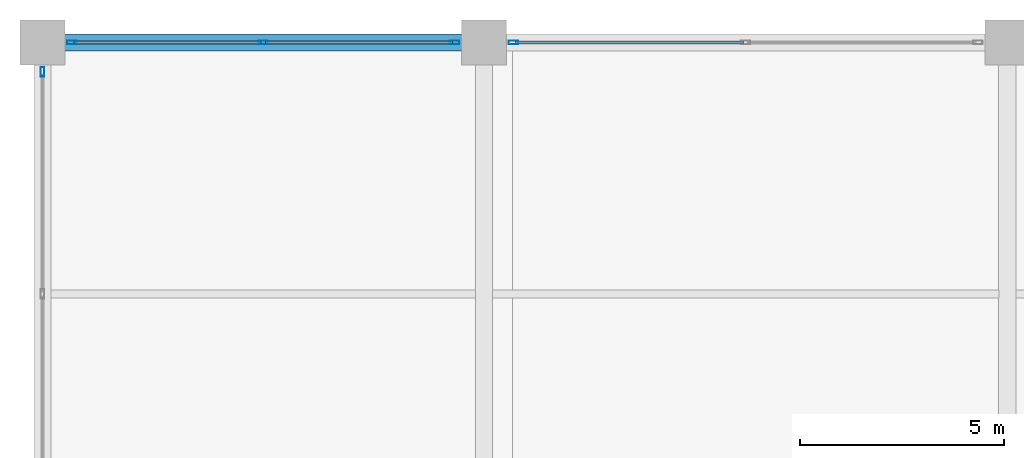
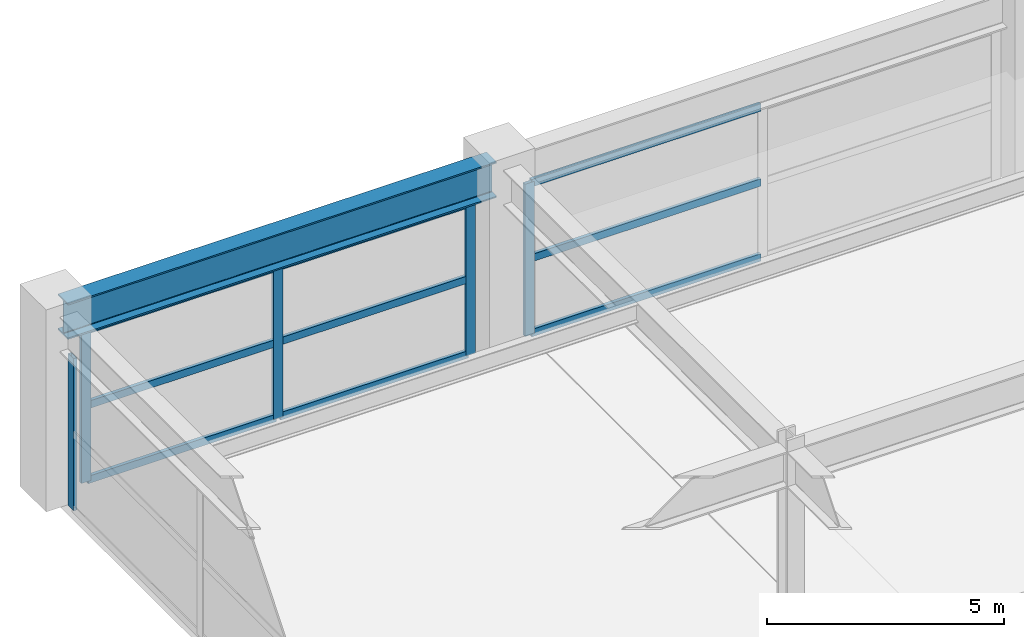
# One storey, part 16 of 43: 14 members, 1 beam, 3 elements without a shape of their own.
"""IFC4 building model written with IfcOpenShell, lengths in metres."""

from ifc_helpers import new_model, si_unit, direction, frame, origin, origin_2d, place, context, subcontext, project, spatial, hollow_rectangle, i_section, extrude, material, material_profile, profile_set, type_object, element, aggregate, save


model = new_model("IFC4")

# Units and contexts
model_context = context("Model", 3, precision=1e-05, world=origin(), true_north=direction((0.0, 1.0)))
body_context = subcontext(model_context, "Body", "Model", "MODEL_VIEW")
ifc_project = project(units=[si_unit("LENGTHUNIT", "METRE"), si_unit("AREAUNIT", "SQUARE_METRE"), si_unit("VOLUMEUNIT", "CUBIC_METRE"), si_unit("PLANEANGLEUNIT", "RADIAN"), si_unit("MASSUNIT", "GRAM", prefix="KILO")], contexts=[model_context])

# Site, building, storey
site_placement = place(None, origin())
site = spatial("IfcSite", under=ifc_project, at=site_placement, CompositionType="ELEMENT")
building_placement = place(site_placement, origin())
building = spatial("IfcBuilding", under=site, at=building_placement, Name="Kovane Verandah Tower", CompositionType="ELEMENT")
storey_placement = place(building_placement, frame((0.0, 0.0, 11.199951171875)))
storey = spatial("IfcBuildingStorey", under=building, at=storey_placement, Name="L02", CompositionType="ELEMENT", Elevation=11.199951171875)

# Beam
ifc_material_1 = material(Name="Steel S460", Category="steel")
ifc_material_profile_1 = material_profile(ifc_material_1, i_section(OverallWidth=0.42041015625, OverallDepth=0.9208984375, WebThickness=0.021484375, FlangeThickness=0.03662109375, FilletRadius=0.024169921875, at=origin_2d()), Name="UB914x419x388")
ifc_profile_set_1 = profile_set([ifc_material_profile_1], Name="Steel S460")
beam_type = type_object("IfcBeamType", Name="BM-UB914x388", PredefinedType="BEAM", material=ifc_profile_set_1)
beam_placement = place(storey_placement, frame((-1.820068359375, 56.5, 4.439453125), z_axis=(1.0, 0.0, 0.0), x_axis=(0.0, 1.0, 0.0)))
element("IfcBeam", 1, at=beam_placement, inside=storey, type_object=beam_type, Name="L02 Podium Grid Girder X17", PredefinedType="BEAM", context=body_context, shape_type="SweptSolid", body=[
    extrude(i_section(OverallWidth=0.42041015625, OverallDepth=0.9208984375, WebThickness=0.021484375, FlangeThickness=0.03662109375, FilletRadius=0.024169921875, at=origin_2d()), origin(), (0.0, 0.0, 1.0), 10.440185546875),
])

# Curtain wall, members
ifc_material_2 = material(Name="Champagne Anodised Aluminium Frame with Low-E Clear Laminated Glass", Category="aluminium")
curtain_wall_type = type_object("IfcCurtainWallType", Name="CW-SYS-01-POD", PredefinedType="NOTDEFINED", material=ifc_material_2)
curtain_wall_1_placement = place(storey_placement, origin())
curtain_wall_1 = element("IfcCurtainWall", 2, at=curtain_wall_1_placement, inside=storey, type_object=curtain_wall_type, Name="L02 North Podium Curtain Wall Bay 1", PredefinedType="NOTDEFINED")
ifc_material_3 = material(Name="Champagne Anodised Aluminium 6063-T6", Category="aluminium")
ifc_material_profile_2 = material_profile(ifc_material_3, hollow_rectangle(XDim=0.0849609375, YDim=0.22998046875, WallThickness=0.00390625, at=origin_2d()), Name="AL85x230x4")
ifc_profile_set_2 = profile_set([ifc_material_profile_2], Name="Champagne Anodised Aluminium 6063-T6")
member_type_1 = type_object("IfcMemberType", Name="CW-MUL-85x230", PredefinedType="MULLION", material=ifc_profile_set_2)
member_1_placement = place(storey_placement, frame((8.080078125, 56.5, 0.02001953125), z_axis=(0.0, 0.0, 1.0), x_axis=(0.0, 1.0, 0.0)))
member_1 = element("IfcMember", 3, at=member_1_placement, type_object=member_type_1, Name="L02 North Podium Curtain Wall Bay 1 Mullion 1", PredefinedType="MULLION", context=body_context, shape_type="SweptSolid", body=[
    extrude(hollow_rectangle(XDim=0.0849609375, YDim=0.22998046875, WallThickness=0.00390625, at=origin_2d()), origin(), (0.0, 0.0, 1.0), 3.9189453125),
])
member_2_placement = place(storey_placement, frame((3.39990234375, 56.5, 0.02001953125), z_axis=(0.0, 0.0, 1.0), x_axis=(0.0, 1.0, 0.0)))
member_2 = element("IfcMember", 4, at=member_2_placement, type_object=member_type_1, Name="L02 North Podium Curtain Wall Bay 1 Mullion 2", PredefinedType="MULLION", context=body_context, shape_type="SweptSolid", body=[
    extrude(hollow_rectangle(XDim=0.0849609375, YDim=0.22998046875, WallThickness=0.00390625, at=origin_2d()), origin(), (0.0, 0.0, 1.0), 3.9189453125),
])
member_3_placement = place(storey_placement, frame((-1.280029296875, 56.5, 0.02001953125), z_axis=(0.0, 0.0, 1.0), x_axis=(0.0, 1.0, 0.0)))
member_3 = element("IfcMember", 5, at=member_3_placement, type_object=member_type_1, Name="L02 North Podium Curtain Wall Bay 1 Mullion 3", PredefinedType="MULLION", context=body_context, shape_type="SweptSolid", body=[
    extrude(hollow_rectangle(XDim=0.0849609375, YDim=0.22998046875, WallThickness=0.00390625, at=origin_2d()), origin(), (0.0, 0.0, 1.0), 3.9189453125),
])

# Curtain wall, member
curtain_wall_2_placement = place(storey_placement, origin())
curtain_wall_2 = element("IfcCurtainWall", 6, at=curtain_wall_2_placement, inside=storey, type_object=curtain_wall_type, Name="L02 North Podium Curtain Wall Bay 2", PredefinedType="NOTDEFINED")
member_4_placement = place(storey_placement, frame((9.52001953125, 56.5, 0.02001953125), z_axis=(0.0, 0.0, 1.0), x_axis=(0.0, 1.0, 0.0)))
member_4 = element("IfcMember", 7, at=member_4_placement, type_object=member_type_1, Name="L02 North Podium Curtain Wall Bay 2 Mullion 3", PredefinedType="MULLION", context=body_context, shape_type="SweptSolid", body=[
    extrude(hollow_rectangle(XDim=0.0849609375, YDim=0.22998046875, WallThickness=0.00390625, at=origin_2d()), origin(), (0.0, 0.0, 1.0), 3.9189453125),
])

curtain_wall_3_placement = place(storey_placement, origin())
curtain_wall_3 = element("IfcCurtainWall", 8, at=curtain_wall_3_placement, inside=storey, type_object=curtain_wall_type, Name="L02 West Podium Curtain Wall Bay 5", PredefinedType="NOTDEFINED")
member_5_placement = place(storey_placement, frame((-2.0, 55.780029296875, 0.02001953125), z_axis=(0.0, 0.0, 1.0), x_axis=(-1.0, 0.0, 0.0)))
member_5 = element("IfcMember", 9, at=member_5_placement, type_object=member_type_1, Name="L02 West Podium Curtain Wall Bay 5 Mullion 1", PredefinedType="MULLION", context=body_context, shape_type="SweptSolid", body=[
    extrude(hollow_rectangle(XDim=0.0849609375, YDim=0.22998046875, WallThickness=0.00390625, at=origin_2d()), origin(), (0.0, 0.0, 1.0), 3.9189453125),
])
aggregate(curtain_wall_3, [member_5])

# Member
ifc_material_profile_3 = material_profile(ifc_material_3, hollow_rectangle(XDim=0.0849609375, YDim=0.18994140625, WallThickness=0.00390625, at=origin_2d()), Name="AL85x190x4")
ifc_profile_set_3 = profile_set([ifc_material_profile_3], Name="Champagne Anodised Aluminium 6063-T6")
member_type_2 = type_object("IfcMemberType", Name="CW-TRN-85x190", PredefinedType="USERDEFINED", material=ifc_profile_set_3)
member_6_placement = place(storey_placement, frame((8.030029296875, 56.5, 0.050048828125), z_axis=(-1.0, 0.0, 0.0), x_axis=(0.0, -1.0, 0.0)))
member_6 = element("IfcMember", 10, at=member_6_placement, type_object=member_type_2, Name="L02 North Podium Curtain Wall Bay 1 Transom TB Bay 1", ObjectType="TRANSOM", PredefinedType="USERDEFINED", context=body_context, shape_type="SweptSolid", body=[
    extrude(hollow_rectangle(XDim=0.0849609375, YDim=0.18994140625, WallThickness=0.00390625, at=origin_2d()), origin(), (0.0, 0.0, 1.0), 4.580078125),
])

member_7_placement = place(storey_placement, frame((8.030029296875, 56.5, 1.9794921875), z_axis=(-1.0, 0.0, 0.0), x_axis=(0.0, -1.0, 0.0)))
member_7 = element("IfcMember", 11, at=member_7_placement, type_object=member_type_2, Name="L02 North Podium Curtain Wall Bay 1 Transom TM Bay 1", ObjectType="TRANSOM", PredefinedType="USERDEFINED", context=body_context, shape_type="SweptSolid", body=[
    extrude(hollow_rectangle(XDim=0.0849609375, YDim=0.18994140625, WallThickness=0.00390625, at=origin_2d()), origin(), (0.0, 0.0, 1.0), 4.580078125),
])

member_8_placement = place(storey_placement, frame((8.030029296875, 56.5, 3.908935546875), z_axis=(-1.0, 0.0, 0.0), x_axis=(0.0, -1.0, 0.0)))
member_8 = element("IfcMember", 12, at=member_8_placement, type_object=member_type_2, Name="L02 North Podium Curtain Wall Bay 1 Transom TT Bay 1", ObjectType="TRANSOM", PredefinedType="USERDEFINED", context=body_context, shape_type="SweptSolid", body=[
    extrude(hollow_rectangle(XDim=0.0849609375, YDim=0.18994140625, WallThickness=0.00390625, at=origin_2d()), origin(), (0.0, 0.0, 1.0), 4.580078125),
])

member_9_placement = place(storey_placement, frame((3.35009765625, 56.5, 0.050048828125), z_axis=(-1.0, 0.0, 0.0), x_axis=(0.0, -1.0, 0.0)))
member_9 = element("IfcMember", 13, at=member_9_placement, type_object=member_type_2, Name="L02 North Podium Curtain Wall Bay 1 Transom TB Bay 2", ObjectType="TRANSOM", PredefinedType="USERDEFINED", context=body_context, shape_type="SweptSolid", body=[
    extrude(hollow_rectangle(XDim=0.0849609375, YDim=0.18994140625, WallThickness=0.00390625, at=origin_2d()), origin(), (0.0, 0.0, 1.0), 4.580078125),
])

member_10_placement = place(storey_placement, frame((3.35009765625, 56.5, 1.9794921875), z_axis=(-1.0, 0.0, 0.0), x_axis=(0.0, -1.0, 0.0)))
member_10 = element("IfcMember", 14, at=member_10_placement, type_object=member_type_2, Name="L02 North Podium Curtain Wall Bay 1 Transom TM Bay 2", ObjectType="TRANSOM", PredefinedType="USERDEFINED", context=body_context, shape_type="SweptSolid", body=[
    extrude(hollow_rectangle(XDim=0.0849609375, YDim=0.18994140625, WallThickness=0.00390625, at=origin_2d()), origin(), (0.0, 0.0, 1.0), 4.580078125),
])

member_11_placement = place(storey_placement, frame((3.35009765625, 56.5, 3.908935546875), z_axis=(-1.0, 0.0, 0.0), x_axis=(0.0, -1.0, 0.0)))
member_11 = element("IfcMember", 15, at=member_11_placement, type_object=member_type_2, Name="L02 North Podium Curtain Wall Bay 1 Transom TT Bay 2", ObjectType="TRANSOM", PredefinedType="USERDEFINED", context=body_context, shape_type="SweptSolid", body=[
    extrude(hollow_rectangle(XDim=0.0849609375, YDim=0.18994140625, WallThickness=0.00390625, at=origin_2d()), origin(), (0.0, 0.0, 1.0), 4.580078125),
])

aggregate(curtain_wall_1, [member_1, member_2, member_3, member_6, member_7, member_8, member_9, member_10, member_11])

member_12_placement = place(storey_placement, frame((15.14990234375, 56.5, 0.050048828125), z_axis=(-1.0, 0.0, 0.0), x_axis=(0.0, -1.0, 0.0)))
member_12 = element("IfcMember", 16, at=member_12_placement, type_object=member_type_2, Name="L02 North Podium Curtain Wall Bay 2 Transom TB Bay 2", ObjectType="TRANSOM", PredefinedType="USERDEFINED", context=body_context, shape_type="SweptSolid", body=[
    extrude(hollow_rectangle(XDim=0.0849609375, YDim=0.18994140625, WallThickness=0.00390625, at=origin_2d()), origin(), (0.0, 0.0, 1.0), 5.579833984375),
])

member_13_placement = place(storey_placement, frame((15.14990234375, 56.5, 1.9794921875), z_axis=(-1.0, 0.0, 0.0), x_axis=(0.0, -1.0, 0.0)))
member_13 = element("IfcMember", 17, at=member_13_placement, type_object=member_type_2, Name="L02 North Podium Curtain Wall Bay 2 Transom TM Bay 2", ObjectType="TRANSOM", PredefinedType="USERDEFINED", context=body_context, shape_type="SweptSolid", body=[
    extrude(hollow_rectangle(XDim=0.0849609375, YDim=0.18994140625, WallThickness=0.00390625, at=origin_2d()), origin(), (0.0, 0.0, 1.0), 5.579833984375),
])

member_14_placement = place(storey_placement, frame((15.14990234375, 56.5, 3.908935546875), z_axis=(-1.0, 0.0, 0.0), x_axis=(0.0, -1.0, 0.0)))
member_14 = element("IfcMember", 18, at=member_14_placement, type_object=member_type_2, Name="L02 North Podium Curtain Wall Bay 2 Transom TT Bay 2", ObjectType="TRANSOM", PredefinedType="USERDEFINED", context=body_context, shape_type="SweptSolid", body=[
    extrude(hollow_rectangle(XDim=0.0849609375, YDim=0.18994140625, WallThickness=0.00390625, at=origin_2d()), origin(), (0.0, 0.0, 1.0), 5.579833984375),
])

aggregate(curtain_wall_2, [member_4, member_12, member_13, member_14])

save(model, "model.ifc")
